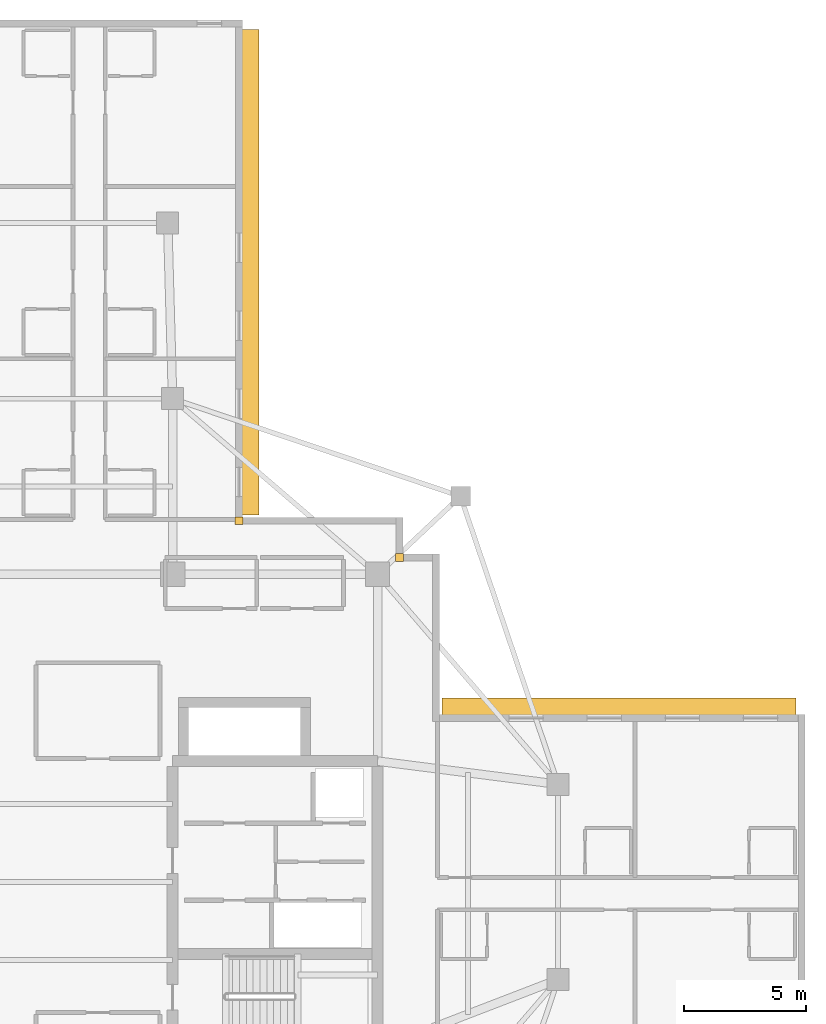
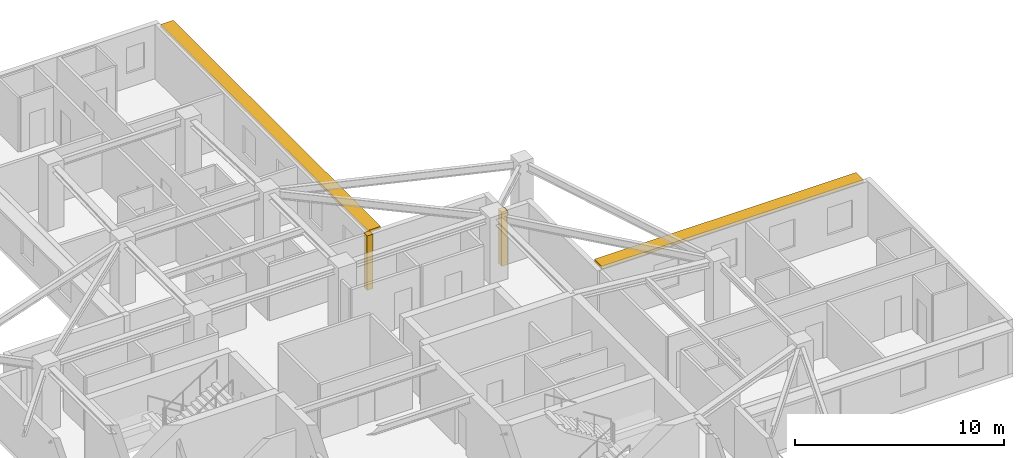
# One storey, part 13 of 13: 2 coverings, 2 shading devices.
"""IFC4 building model written with IfcOpenShell, lengths in metres."""

import ifcopenshell
import ifcopenshell.guid

model = None  # the IFC model being written
_history = None  # IfcOwnerHistory: only IFC2X3 demands one
_inside = {}  # id of a spatial element -> (the spatial element, [elements in it])
_under = {}  # id of a project, library or spatial element -> (it, [spatial elements below it])
_declared = {}  # id of a project -> (the project, [libraries it declares])
_typed = {}  # id of a type object -> (the type object, [elements of that type])
_made_of = {}  # id of a material, layer set ... -> (it, [elements and type objects made of it])


def new_model(schema):
    """Start an empty IFC model of exactly this schema.

    Asked for "IFC4X3", IfcOpenShell would pick the latest addendum, in which some entities
    have other attributes; the version numbers below select the first issue.
    IFC2X3 requires an IfcOwnerHistory on every rooted entity: one is made here for all.
    """
    global model, _history
    if schema == "IFC4X3":
        model = ifcopenshell.file(schema_version=(4, 3, 0, 0))
    else:
        model = ifcopenshell.file(schema=schema)
    _inside.clear()
    _under.clear()
    _declared.clear()
    _typed.clear()
    _made_of.clear()
    _history = None
    if model.schema == "IFC2X3":
        org = make("IfcOrganization", Name="unknown")
        user = make(
            "IfcPersonAndOrganization",
            ThePerson=make("IfcPerson", FamilyName="unknown"),
            TheOrganization=org,
        )
        app = make(
            "IfcApplication",
            ApplicationDeveloper=org,
            Version="unknown",
            ApplicationFullName="unknown",
            ApplicationIdentifier="unknown",
        )
        _history = make(
            "IfcOwnerHistory",
            OwningUser=user,
            OwningApplication=app,
            ChangeAction="ADDED",
            CreationDate=0,
        )
    return model


def make(cls, **values):
    """One entity of the class cls with the attributes given. An attribute that is None is left unset."""
    return model.create_entity(
        cls, **{name: value for name, value in values.items() if value is not None}
    )


def rooted(cls, **values):
    """An entity with a GlobalId (a new one), such as an element, a storey or a relation."""
    return make(cls, GlobalId=ifcopenshell.guid.new(), OwnerHistory=_history, **values)


def si_unit(unit_type, name, prefix=None):
    """IfcSIUnit, for example si_unit("LENGTHUNIT", "METRE", prefix="MILLI")."""
    return make("IfcSIUnit", UnitType=unit_type, Prefix=prefix, Name=name)


def assignment(units):
    """IfcUnitAssignment: the units of a project."""
    return None if units is None else make("IfcUnitAssignment", Units=units)


def point(xyz):
    """IfcCartesianPoint."""
    return None if xyz is None else make("IfcCartesianPoint", Coordinates=xyz)


def direction(xyz):
    """IfcDirection."""
    return None if xyz is None else make("IfcDirection", DirectionRatios=xyz)


def frame(location, z_axis=None, x_axis=None):
    """IfcAxis2Placement3D, a coordinate frame: its origin and axes. An axis left out is left unset."""
    return make(
        "IfcAxis2Placement3D",
        Location=point(location),
        Axis=direction(z_axis),
        RefDirection=direction(x_axis),
    )


def frame_2d(location, x_axis=None):
    """IfcAxis2Placement2D, a coordinate frame in the plane: its origin and x axis."""
    return make(
        "IfcAxis2Placement2D", Location=point(location), RefDirection=direction(x_axis)
    )


def origin():
    """The frame at (0, 0, 0) with its axes left unset."""
    return frame((0.0, 0.0, 0.0))


def origin_2d():
    """The frame at (0, 0) in the plane with its x axis left unset."""
    return frame_2d((0.0, 0.0))


def place(relative_to, where):
    """IfcLocalPlacement: puts the frame where relative to a parent placement (None: the world)."""
    return make(
        "IfcLocalPlacement", PlacementRelTo=relative_to, RelativePlacement=where
    )


def context(
    kind, dimensions, precision=None, world=None, true_north=None, identifier=None
):
    """IfcGeometricRepresentationContext, for example the 3D "Model" context."""
    return make(
        "IfcGeometricRepresentationContext",
        ContextIdentifier=identifier,
        ContextType=kind,
        CoordinateSpaceDimension=dimensions,
        Precision=precision,
        WorldCoordinateSystem=world,
        TrueNorth=true_north,
    )


def subcontext(parent, identifier, kind, view, scale=None):
    """IfcGeometricRepresentationSubContext, for example "Body" below "Model"."""
    return make(
        "IfcGeometricRepresentationSubContext",
        ContextIdentifier=identifier,
        ContextType=kind,
        ParentContext=parent,
        TargetScale=scale,
        TargetView=view,
    )


def project(units=None, contexts=None):
    """IfcProject with its units and contexts."""
    return rooted(
        "IfcProject",
        Name="project",
        RepresentationContexts=contexts,
        UnitsInContext=assignment(units),
    )


def spatial(cls, under=None, at=None, **own):
    """A site, building, storey or space (cls), placed at a placement, below another one or the project."""
    s = rooted(cls, ObjectPlacement=at, **own)
    if under is not None:
        _under.setdefault(under.id(), (under, []))[1].append(s)
    return s


def profile(cls, at=None, kind="AREA", **sizes):
    """A parametric profile (cls). Its sizes go by their IFC names, for example OverallWidth=200.0."""
    return make(cls, ProfileType=kind, Position=at, **sizes)


def rectangle(**sizes):
    """IfcRectangleProfileDef."""
    return profile("IfcRectangleProfileDef", **sizes)


def extrude(swept, where, along, depth):
    """IfcExtrudedAreaSolid: the profile swept, set in the frame where, extruded along a direction by depth."""
    return make(
        "IfcExtrudedAreaSolid",
        SweptArea=swept,
        Position=where,
        ExtrudedDirection=direction(along),
        Depth=depth,
    )


def shape(context_of_items, identifier, shape_type, items):
    """IfcShapeRepresentation: the items that make up one representation, for example the "Body"."""
    return make(
        "IfcShapeRepresentation",
        ContextOfItems=context_of_items,
        RepresentationIdentifier=identifier,
        RepresentationType=shape_type,
        Items=items,
    )


def material(Name=None, Category=None):
    """IfcMaterial."""
    return make("IfcMaterial", Name=Name, Category=Category)


def layer(
    of_material, thickness, ventilated=None, Name=None, Category=None, Priority=None
):
    """IfcMaterialLayer: one layer of a wall or slab, of a material (None: an air gap)."""
    return make(
        "IfcMaterialLayer",
        Material=of_material,
        LayerThickness=thickness,
        IsVentilated=ventilated,
        Name=Name,
        Category=Category,
        Priority=Priority,
    )


def layer_set(layers, Name=None):
    """IfcMaterialLayerSet."""
    return make("IfcMaterialLayerSet", MaterialLayers=layers, LayerSetName=Name)


def made_of(thing, what):
    """Note that an element or type object is made of a material, layer set ...; save() writes the relation."""
    if what is not None:
        _made_of.setdefault(what.id(), (what, []))[1].append(thing)
    return thing


def type_object(cls, material=None, **own):
    """A type object (cls), such as IfcWallType, which elements share."""
    return made_of(rooted(cls, **own), material)


def element(
    cls,
    number,
    at=None,
    inside=None,
    cuts=None,
    type_object=None,
    material=None,
    context=None,
    identifier="Body",
    shape_type=None,
    held_by="IfcProductDefinitionShape",
    body=None,
    shapes=None,
    **own,
):
    """One element of the class cls, such as IfcWall. Its Tag is "e" and its number.

    at: its placement. inside: the storey or other place that contains it. cuts: it is an
    opening in that element (IfcRelVoidsElement). A single representation is given by context,
    identifier, shape_type and body (its items); several are given by shapes. held_by: the class
    of the entity that holds the representations. save() writes the other relations.
    """
    e = rooted(cls, Tag="e%d" % number, ObjectPlacement=at, **own)
    if body is not None:
        shapes = [shape(context, identifier, shape_type, body)]
    if shapes is not None:
        e.Representation = make(held_by, Representations=shapes)
    if inside is not None:
        _inside.setdefault(inside.id(), (inside, []))[1].append(e)
    if cuts is not None:
        rooted(
            "IfcRelVoidsElement", RelatingBuildingElement=cuts, RelatedOpeningElement=e
        )
    if type_object is not None:
        _typed.setdefault(type_object.id(), (type_object, []))[1].append(e)
    return made_of(e, material)


def aggregate(whole, parts):
    """IfcRelAggregates: a whole, such as a stair, and the parts it consists of."""
    return rooted("IfcRelAggregates", RelatingObject=whole, RelatedObjects=parts)


def save(model, path):
    """Write the relations noted so far, then the file.

    IfcRelAggregates (storeys below a building ...), IfcRelContainedInSpatialStructure (elements
    in a storey), IfcRelDefinesByType, IfcRelAssociatesMaterial and IfcRelDeclares: one each for
    every whole, place, type object, material and project.
    """
    for whole, parts in _under.values():
        aggregate(whole, parts)
    for where, things in _inside.values():
        rooted(
            "IfcRelContainedInSpatialStructure",
            RelatedElements=things,
            RelatingStructure=where,
        )
    for kind, things in _typed.values():
        rooted("IfcRelDefinesByType", RelatedObjects=things, RelatingType=kind)
    for what, things in _made_of.values():
        rooted("IfcRelAssociatesMaterial", RelatedObjects=things, RelatingMaterial=what)
    for by, libraries in _declared.values():
        rooted("IfcRelDeclares", RelatingContext=by, RelatedDefinitions=libraries)
    model.write(path)


model = new_model("IFC4")

# Units and contexts
model_context = context("Model", 3, precision=1e-05, world=origin(), true_north=direction((0.0, 1.0)))
body_context = subcontext(model_context, "Body", "Model", "MODEL_VIEW")
ifc_project = project(units=[si_unit("LENGTHUNIT", "METRE"), si_unit("AREAUNIT", "SQUARE_METRE"), si_unit("VOLUMEUNIT", "CUBIC_METRE"), si_unit("PLANEANGLEUNIT", "RADIAN"), si_unit("MASSUNIT", "GRAM", prefix="KILO")], contexts=[model_context])

# Site, building, storey
site_placement = place(None, origin())
site = spatial("IfcSite", under=ifc_project, at=site_placement, CompositionType="ELEMENT")
building_placement = place(site_placement, origin())
building = spatial("IfcBuilding", under=site, at=building_placement, Name="Qingluan Cross Belvedere", CompositionType="ELEMENT")
storey_placement = place(building_placement, frame((0.0, 0.0, 224.699951171875)))
storey = spatial("IfcBuildingStorey", under=building, at=storey_placement, Name="L56", CompositionType="ELEMENT", Elevation=224.699951171875)

# Coverings
ifc_material_1 = material(Name="Precast concrete C45", Category="concrete")
ifc_layer_1 = layer(ifc_material_1, 0.1201171875, Name="ConcreteSpandrelCladding_120")
ifc_layer_set_1 = layer_set([ifc_layer_1], Name="Precast concrete C45")
covering_type = type_object("IfcCoveringType", Name="ConcreteSpandrelCladding_120", PredefinedType="CLADDING", material=ifc_layer_set_1)
for number, where, z_axis, x_axis, name in (
    (1, (13.300048828125, 13.300048828125, 0.0), (0.0, 0.0, 1.0), (1.0, 0.0, 0.0), "Corner closure L56-NE1"),
    (2, (6.719970703125, 14.800048828125, 0.0), (0.0, 0.0, 1.0), (1.0, 0.0, 0.0), "Corner closure L56-NE2"),
):
    element("IfcCovering", number, at=place(storey_placement, frame(where, z_axis=z_axis, x_axis=x_axis)), inside=storey, type_object=covering_type, Name=name, PredefinedType="CLADDING", context=body_context, shape_type="SweptSolid", body=[
        extrude(rectangle(XDim=0.320068359375, YDim=0.320068359375, at=origin_2d()), origin(), (0.0, 0.0, 1.0), 3.179931640625),
    ])

# Shading devices
ifc_material_2 = material(Name="Precast concrete C45", Category="concrete")
ifc_layer_2 = layer(ifc_material_2, 0.139892578125, Name="ConcreteSunshadeBand_700")
ifc_layer_set_2 = layer_set([ifc_layer_2], Name="Precast concrete C45")
shading_device_type = type_object("IfcShadingDeviceType", Name="ConcreteSunshadeBand_700", PredefinedType="USERDEFINED", material=ifc_layer_set_2)
shading_device_1_placement = place(storey_placement, frame((22.2900390625, 7.18994140625, 3.0), z_axis=(0.0, 0.0, 1.0), x_axis=(-1.0, 0.0, 0.0)))
element("IfcShadingDevice", 3, at=shading_device_1_placement, inside=storey, type_object=shading_device_type, Name="Concrete SUNSHADE L56-EB", ObjectType="SUNSHADE", PredefinedType="USERDEFINED", context=body_context, shape_type="SweptSolid", body=[
    extrude(rectangle(XDim=14.5, YDim=0.699951171875, at=origin_2d()), origin(), (0.0, 0.0, 1.0), 0.159912109375),
])
shading_device_2_placement = place(storey_placement, frame((7.18994140625, 24.989990234375, 3.0), z_axis=(0.0, 0.0, 1.0), x_axis=(0.0, 1.0, 0.0)))
element("IfcShadingDevice", 4, at=shading_device_2_placement, inside=storey, type_object=shading_device_type, Name="Concrete SUNSHADE L56-NA", ObjectType="SUNSHADE", PredefinedType="USERDEFINED", context=body_context, shape_type="SweptSolid", body=[
    extrude(rectangle(XDim=19.89990234375, YDim=0.699951171875, at=origin_2d()), origin(), (0.0, 0.0, 1.0), 0.159912109375),
])

save(model, "model.ifc")
